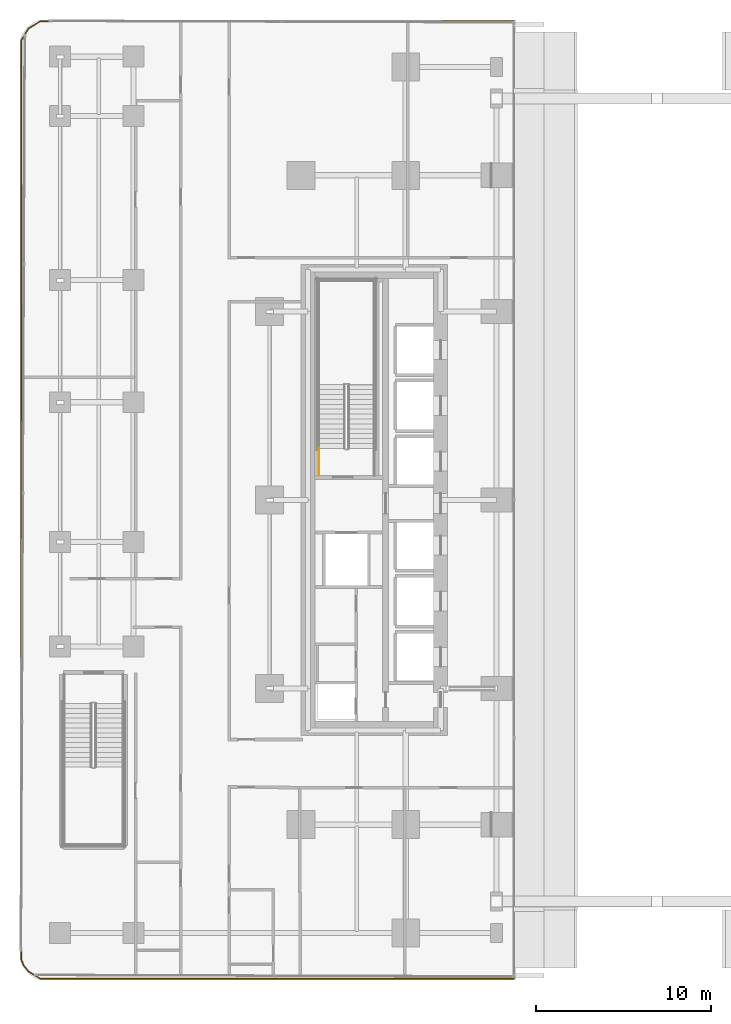
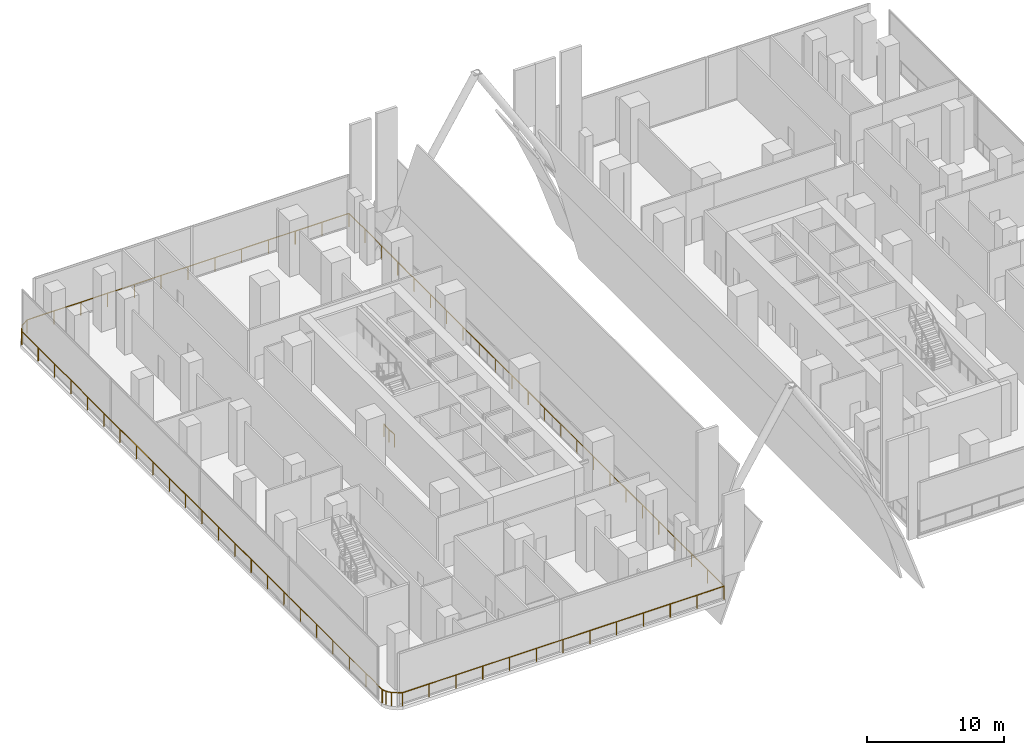
# One storey, part 22 of 31: 3 railings.
"""IFC4 building model written with IfcOpenShell, lengths in metres."""

import ifcopenshell
import ifcopenshell.guid

model = None  # the IFC model being written
_history = None  # IfcOwnerHistory: only IFC2X3 demands one
_inside = {}  # id of a spatial element -> (the spatial element, [elements in it])
_under = {}  # id of a project, library or spatial element -> (it, [spatial elements below it])
_declared = {}  # id of a project -> (the project, [libraries it declares])
_typed = {}  # id of a type object -> (the type object, [elements of that type])
_made_of = {}  # id of a material, layer set ... -> (it, [elements and type objects made of it])


def new_model(schema):
    """Start an empty IFC model of exactly this schema.

    Asked for "IFC4X3", IfcOpenShell would pick the latest addendum, in which some entities
    have other attributes; the version numbers below select the first issue.
    IFC2X3 requires an IfcOwnerHistory on every rooted entity: one is made here for all.
    """
    global model, _history
    if schema == "IFC4X3":
        model = ifcopenshell.file(schema_version=(4, 3, 0, 0))
    else:
        model = ifcopenshell.file(schema=schema)
    _inside.clear()
    _under.clear()
    _declared.clear()
    _typed.clear()
    _made_of.clear()
    _history = None
    if model.schema == "IFC2X3":
        org = make("IfcOrganization", Name="unknown")
        user = make(
            "IfcPersonAndOrganization",
            ThePerson=make("IfcPerson", FamilyName="unknown"),
            TheOrganization=org,
        )
        app = make(
            "IfcApplication",
            ApplicationDeveloper=org,
            Version="unknown",
            ApplicationFullName="unknown",
            ApplicationIdentifier="unknown",
        )
        _history = make(
            "IfcOwnerHistory",
            OwningUser=user,
            OwningApplication=app,
            ChangeAction="ADDED",
            CreationDate=0,
        )
    return model


def make(cls, **values):
    """One entity of the class cls with the attributes given. An attribute that is None is left unset."""
    return model.create_entity(
        cls, **{name: value for name, value in values.items() if value is not None}
    )


def rooted(cls, **values):
    """An entity with a GlobalId (a new one), such as an element, a storey or a relation."""
    return make(cls, GlobalId=ifcopenshell.guid.new(), OwnerHistory=_history, **values)


def si_unit(unit_type, name, prefix=None):
    """IfcSIUnit, for example si_unit("LENGTHUNIT", "METRE", prefix="MILLI")."""
    return make("IfcSIUnit", UnitType=unit_type, Prefix=prefix, Name=name)


def assignment(units):
    """IfcUnitAssignment: the units of a project."""
    return None if units is None else make("IfcUnitAssignment", Units=units)


def point(xyz):
    """IfcCartesianPoint."""
    return None if xyz is None else make("IfcCartesianPoint", Coordinates=xyz)


def direction(xyz):
    """IfcDirection."""
    return None if xyz is None else make("IfcDirection", DirectionRatios=xyz)


def frame(location, z_axis=None, x_axis=None):
    """IfcAxis2Placement3D, a coordinate frame: its origin and axes. An axis left out is left unset."""
    return make(
        "IfcAxis2Placement3D",
        Location=point(location),
        Axis=direction(z_axis),
        RefDirection=direction(x_axis),
    )


def frame_2d(location, x_axis=None):
    """IfcAxis2Placement2D, a coordinate frame in the plane: its origin and x axis."""
    return make(
        "IfcAxis2Placement2D", Location=point(location), RefDirection=direction(x_axis)
    )


def origin():
    """The frame at (0, 0, 0) with its axes left unset."""
    return frame((0.0, 0.0, 0.0))


def origin_2d():
    """The frame at (0, 0) in the plane with its x axis left unset."""
    return frame_2d((0.0, 0.0))


def place(relative_to, where):
    """IfcLocalPlacement: puts the frame where relative to a parent placement (None: the world)."""
    return make(
        "IfcLocalPlacement", PlacementRelTo=relative_to, RelativePlacement=where
    )


def context(
    kind, dimensions, precision=None, world=None, true_north=None, identifier=None
):
    """IfcGeometricRepresentationContext, for example the 3D "Model" context."""
    return make(
        "IfcGeometricRepresentationContext",
        ContextIdentifier=identifier,
        ContextType=kind,
        CoordinateSpaceDimension=dimensions,
        Precision=precision,
        WorldCoordinateSystem=world,
        TrueNorth=true_north,
    )


def subcontext(parent, identifier, kind, view, scale=None):
    """IfcGeometricRepresentationSubContext, for example "Body" below "Model"."""
    return make(
        "IfcGeometricRepresentationSubContext",
        ContextIdentifier=identifier,
        ContextType=kind,
        ParentContext=parent,
        TargetScale=scale,
        TargetView=view,
    )


def project(units=None, contexts=None):
    """IfcProject with its units and contexts."""
    return rooted(
        "IfcProject",
        Name="project",
        RepresentationContexts=contexts,
        UnitsInContext=assignment(units),
    )


def spatial(cls, under=None, at=None, **own):
    """A site, building, storey or space (cls), placed at a placement, below another one or the project."""
    s = rooted(cls, ObjectPlacement=at, **own)
    if under is not None:
        _under.setdefault(under.id(), (under, []))[1].append(s)
    return s


def profile(cls, at=None, kind="AREA", **sizes):
    """A parametric profile (cls). Its sizes go by their IFC names, for example OverallWidth=200.0."""
    return make(cls, ProfileType=kind, Position=at, **sizes)


def circle(**sizes):
    """IfcCircleProfileDef."""
    return profile("IfcCircleProfileDef", **sizes)


def extrude(swept, where, along, depth):
    """IfcExtrudedAreaSolid: the profile swept, set in the frame where, extruded along a direction by depth."""
    return make(
        "IfcExtrudedAreaSolid",
        SweptArea=swept,
        Position=where,
        ExtrudedDirection=direction(along),
        Depth=depth,
    )


def shape(context_of_items, identifier, shape_type, items):
    """IfcShapeRepresentation: the items that make up one representation, for example the "Body"."""
    return make(
        "IfcShapeRepresentation",
        ContextOfItems=context_of_items,
        RepresentationIdentifier=identifier,
        RepresentationType=shape_type,
        Items=items,
    )


def material(Name=None, Category=None):
    """IfcMaterial."""
    return make("IfcMaterial", Name=Name, Category=Category)


def made_of(thing, what):
    """Note that an element or type object is made of a material, layer set ...; save() writes the relation."""
    if what is not None:
        _made_of.setdefault(what.id(), (what, []))[1].append(thing)
    return thing


def type_object(cls, material=None, **own):
    """A type object (cls), such as IfcWallType, which elements share."""
    return made_of(rooted(cls, **own), material)


def element(
    cls,
    number,
    at=None,
    inside=None,
    cuts=None,
    type_object=None,
    material=None,
    context=None,
    identifier="Body",
    shape_type=None,
    held_by="IfcProductDefinitionShape",
    body=None,
    shapes=None,
    **own,
):
    """One element of the class cls, such as IfcWall. Its Tag is "e" and its number.

    at: its placement. inside: the storey or other place that contains it. cuts: it is an
    opening in that element (IfcRelVoidsElement). A single representation is given by context,
    identifier, shape_type and body (its items); several are given by shapes. held_by: the class
    of the entity that holds the representations. save() writes the other relations.
    """
    e = rooted(cls, Tag="e%d" % number, ObjectPlacement=at, **own)
    if body is not None:
        shapes = [shape(context, identifier, shape_type, body)]
    if shapes is not None:
        e.Representation = make(held_by, Representations=shapes)
    if inside is not None:
        _inside.setdefault(inside.id(), (inside, []))[1].append(e)
    if cuts is not None:
        rooted(
            "IfcRelVoidsElement", RelatingBuildingElement=cuts, RelatedOpeningElement=e
        )
    if type_object is not None:
        _typed.setdefault(type_object.id(), (type_object, []))[1].append(e)
    return made_of(e, material)


def aggregate(whole, parts):
    """IfcRelAggregates: a whole, such as a stair, and the parts it consists of."""
    return rooted("IfcRelAggregates", RelatingObject=whole, RelatedObjects=parts)


def save(model, path):
    """Write the relations noted so far, then the file.

    IfcRelAggregates (storeys below a building ...), IfcRelContainedInSpatialStructure (elements
    in a storey), IfcRelDefinesByType, IfcRelAssociatesMaterial and IfcRelDeclares: one each for
    every whole, place, type object, material and project.
    """
    for whole, parts in _under.values():
        aggregate(whole, parts)
    for where, things in _inside.values():
        rooted(
            "IfcRelContainedInSpatialStructure",
            RelatedElements=things,
            RelatingStructure=where,
        )
    for kind, things in _typed.values():
        rooted("IfcRelDefinesByType", RelatedObjects=things, RelatingType=kind)
    for what, things in _made_of.values():
        rooted("IfcRelAssociatesMaterial", RelatedObjects=things, RelatingMaterial=what)
    for by, libraries in _declared.values():
        rooted("IfcRelDeclares", RelatingContext=by, RelatedDefinitions=libraries)
    model.write(path)


model = new_model("IFC4")

# Units and contexts
model_context = context("Model", 3, precision=1e-05, world=origin(), true_north=direction((0.0, 1.0)))
body_context = subcontext(model_context, "Body", "Model", "MODEL_VIEW")
ifc_project = project(units=[si_unit("LENGTHUNIT", "METRE"), si_unit("AREAUNIT", "SQUARE_METRE"), si_unit("VOLUMEUNIT", "CUBIC_METRE"), si_unit("PLANEANGLEUNIT", "RADIAN"), si_unit("MASSUNIT", "GRAM", prefix="KILO")], contexts=[model_context])

# Site, building, storey
site_placement = place(None, origin())
site = spatial("IfcSite", under=ifc_project, at=site_placement, CompositionType="ELEMENT")
building_placement = place(site_placement, origin())
building = spatial("IfcBuilding", under=site, at=building_placement, Name="Khairoan Windgate Tower", CompositionType="ELEMENT")
storey_placement = place(building_placement, frame((0.0, 0.0, 6.0)))
storey = spatial("IfcBuildingStorey", under=building, at=storey_placement, Name="L02", CompositionType="ELEMENT", Elevation=6.0)

# Railings
ifc_material_1 = material(Name="Anodised Bronze Aluminium 6063-T6", Category="aluminium")
railing_type_1 = type_object("IfcRailingType", Name="Aerodynamic Bronze-and-Glass Balustrade BAL-1200", PredefinedType="BALUSTRADE", material=ifc_material_1)
railing_1_placement = place(storey_placement, frame((-36.406982421875, 26.36474609375, 0.0)))
element("IfcRailing", 1, at=railing_1_placement, inside=storey, type_object=railing_type_1, Name="L02 W Wing Perimeter Edge Guardrail (1)", PredefinedType="BALUSTRADE", context=body_context, shape_type="SweptSolid", body=[
    extrude(circle(Radius=0.02392578125, at=origin_2d()), frame((0.0, 0.0, 1.17578125), z_axis=(0.515299177597, 0.857010360245, 0.0), x_axis=(-0.857010360245, 0.515299177597, 0.0)), (0.0, 0.0, 1.0), 0.759521484375),
    extrude(circle(Radius=0.02392578125, at=origin_2d()), frame((0.391357421875, 0.65087890625, 1.17578125), z_axis=(0.856915629106, 0.515456695169, 0.0), x_axis=(-0.515456695169, 0.856915629106, 0.0)), (0.0, 0.0, 1.0), 0.784423828125),
    extrude(circle(Radius=0.02392578125, at=origin_2d()), frame((1.0634765625, 1.05517578125, 1.17578125), z_axis=(1.0, 0.0, 0.0), x_axis=(0.0, 1.0, 0.0)), (0.0, 0.0, 1.0), 27.1435546875),
    extrude(circle(Radius=0.02392578125, at=origin_2d()), frame((28.20703125, 1.05517578125, 1.17578125), z_axis=(0.0, -1.0, 0.0), x_axis=(1.0, 0.0, 0.0)), (0.0, 0.0, 1.0), 54.81494140625),
    extrude(circle(Radius=0.02099609375, at=origin_2d()), origin(), (0.0, 0.0, 1.0), 1.15185546875),
    extrude(circle(Radius=0.02099609375, at=origin_2d()), frame((0.391357421875, 0.65087890625, 0.0)), (0.0, 0.0, 1.0), 1.15185546875),
    extrude(circle(Radius=0.02099609375, at=origin_2d()), frame((1.0634765625, 1.05517578125, 0.0)), (0.0, 0.0, 1.0), 1.15185546875),
    extrude(circle(Radius=0.02099609375, at=origin_2d()), frame((3.325439453125, 1.05517578125, 0.0)), (0.0, 0.0, 1.0), 1.15185546875),
    extrude(circle(Radius=0.02099609375, at=origin_2d()), frame((5.58740234375, 1.05517578125, 0.0)), (0.0, 0.0, 1.0), 1.15185546875),
    extrude(circle(Radius=0.02099609375, at=origin_2d()), frame((7.849365234375, 1.05517578125, 0.0)), (0.0, 0.0, 1.0), 1.15185546875),
    extrude(circle(Radius=0.02099609375, at=origin_2d()), frame((10.111328125, 1.05517578125, 0.0)), (0.0, 0.0, 1.0), 1.15185546875),
    extrude(circle(Radius=0.02099609375, at=origin_2d()), frame((12.373291015625, 1.05517578125, 0.0)), (0.0, 0.0, 1.0), 1.15185546875),
    extrude(circle(Radius=0.02099609375, at=origin_2d()), frame((14.63525390625, 1.05517578125, 0.0)), (0.0, 0.0, 1.0), 1.15185546875),
    extrude(circle(Radius=0.02099609375, at=origin_2d()), frame((16.897216796875, 1.05517578125, 0.0)), (0.0, 0.0, 1.0), 1.15185546875),
    extrude(circle(Radius=0.02099609375, at=origin_2d()), frame((19.1591796875, 1.05517578125, 0.0)), (0.0, 0.0, 1.0), 1.15185546875),
    extrude(circle(Radius=0.02099609375, at=origin_2d()), frame((21.421142578125, 1.05517578125, 0.0)), (0.0, 0.0, 1.0), 1.15185546875),
    extrude(circle(Radius=0.02099609375, at=origin_2d()), frame((23.68310546875, 1.05517578125, 0.0)), (0.0, 0.0, 1.0), 1.15185546875),
    extrude(circle(Radius=0.02099609375, at=origin_2d()), frame((25.945068359375, 1.05517578125, 0.0)), (0.0, 0.0, 1.0), 1.15185546875),
    extrude(circle(Radius=0.02099609375, at=origin_2d()), frame((28.20703125, 1.05517578125, 0.0)), (0.0, 0.0, 1.0), 1.15185546875),
    extrude(circle(Radius=0.02099609375, at=origin_2d()), frame((28.20703125, -1.328125, 0.0)), (0.0, 0.0, 1.0), 1.15185546875),
    extrude(circle(Radius=0.02099609375, at=origin_2d()), frame((28.20703125, -3.71142578125, 0.0)), (0.0, 0.0, 1.0), 1.15185546875),
    extrude(circle(Radius=0.02099609375, at=origin_2d()), frame((28.20703125, -6.094482421875, 0.0)), (0.0, 0.0, 1.0), 1.15185546875),
    extrude(circle(Radius=0.02099609375, at=origin_2d()), frame((28.20703125, -8.477783203125, 0.0)), (0.0, 0.0, 1.0), 1.15185546875),
    extrude(circle(Radius=0.02099609375, at=origin_2d()), frame((28.20703125, -10.861083984375, 0.0)), (0.0, 0.0, 1.0), 1.15185546875),
    extrude(circle(Radius=0.02099609375, at=origin_2d()), frame((28.20703125, -13.244384765625, 0.0)), (0.0, 0.0, 1.0), 1.15185546875),
    extrude(circle(Radius=0.02099609375, at=origin_2d()), frame((28.20703125, -15.627685546875, 0.0)), (0.0, 0.0, 1.0), 1.15185546875),
    extrude(circle(Radius=0.02099609375, at=origin_2d()), frame((28.20703125, -18.010986328125, 0.0)), (0.0, 0.0, 1.0), 1.15185546875),
    extrude(circle(Radius=0.02099609375, at=origin_2d()), frame((28.20703125, -20.39404296875, 0.0)), (0.0, 0.0, 1.0), 1.15185546875),
    extrude(circle(Radius=0.02099609375, at=origin_2d()), frame((28.20703125, -22.77734375, 0.0)), (0.0, 0.0, 1.0), 1.15185546875),
    extrude(circle(Radius=0.02099609375, at=origin_2d()), frame((28.20703125, -25.16064453125, 0.0)), (0.0, 0.0, 1.0), 1.15185546875),
    extrude(circle(Radius=0.02099609375, at=origin_2d()), frame((28.20703125, -27.5439453125, 0.0)), (0.0, 0.0, 1.0), 1.15185546875),
    extrude(circle(Radius=0.02099609375, at=origin_2d()), frame((28.20703125, -29.92724609375, 0.0)), (0.0, 0.0, 1.0), 1.15185546875),
    extrude(circle(Radius=0.02099609375, at=origin_2d()), frame((28.20703125, -32.310546875, 0.0)), (0.0, 0.0, 1.0), 1.15185546875),
    extrude(circle(Radius=0.02099609375, at=origin_2d()), frame((28.20703125, -34.693603515625, 0.0)), (0.0, 0.0, 1.0), 1.15185546875),
    extrude(circle(Radius=0.02099609375, at=origin_2d()), frame((28.20703125, -37.076904296875, 0.0)), (0.0, 0.0, 1.0), 1.15185546875),
    extrude(circle(Radius=0.02099609375, at=origin_2d()), frame((28.20703125, -39.460205078125, 0.0)), (0.0, 0.0, 1.0), 1.15185546875),
    extrude(circle(Radius=0.02099609375, at=origin_2d()), frame((28.20703125, -41.843505859375, 0.0)), (0.0, 0.0, 1.0), 1.15185546875),
    extrude(circle(Radius=0.02099609375, at=origin_2d()), frame((28.20703125, -44.226806640625, 0.0)), (0.0, 0.0, 1.0), 1.15185546875),
    extrude(circle(Radius=0.02099609375, at=origin_2d()), frame((28.20703125, -46.610107421875, 0.0)), (0.0, 0.0, 1.0), 1.15185546875),
    extrude(circle(Radius=0.02099609375, at=origin_2d()), frame((28.20703125, -48.9931640625, 0.0)), (0.0, 0.0, 1.0), 1.15185546875),
    extrude(circle(Radius=0.02099609375, at=origin_2d()), frame((28.20703125, -51.37646484375, 0.0)), (0.0, 0.0, 1.0), 1.15185546875),
    extrude(circle(Radius=0.02099609375, at=origin_2d()), frame((28.20703125, -53.759765625, 0.0)), (0.0, 0.0, 1.0), 1.15185546875),
])
railing_2_placement = place(storey_placement, frame((-8.22509765625, -27.419921875, 0.0)))
element("IfcRailing", 2, at=railing_2_placement, inside=storey, type_object=railing_type_1, Name="L02 W Wing Perimeter Edge Guardrail (2)", PredefinedType="BALUSTRADE", context=body_context, shape_type="SweptSolid", body=[
    extrude(circle(Radius=0.02392578125, at=origin_2d()), frame((0.0, 0.0, 1.17578125), z_axis=(-1.0, 0.0, 0.0), x_axis=(0.0, -1.0, 0.0)), (0.0, 0.0, 1.0), 27.118408203125),
    extrude(circle(Radius=0.02392578125, at=origin_2d()), frame((-27.118408203125, 0.0, 1.17578125), z_axis=(-0.856915629106, 0.515456695169, 0.0), x_axis=(-0.515456695169, -0.856915629106, 0.0)), (0.0, 0.0, 1.0), 0.784423828125),
    extrude(circle(Radius=0.02392578125, at=origin_2d()), frame((-27.79052734375, 0.404296875, 1.17578125), z_axis=(-0.608842674685, 0.793290991681, 0.0), x_axis=(-0.793290991681, -0.608842674685, 0.0)), (0.0, 0.0, 1.0), 0.44873046875),
    extrude(circle(Radius=0.02392578125, at=origin_2d()), frame((-28.063720703125, 0.76025390625, 1.17578125), z_axis=(-0.383044713365, 0.923729802249, 0.0), x_axis=(-0.923729802249, -0.383044713365, 0.0)), (0.0, 0.0, 1.0), 0.34228515625),
    extrude(circle(Radius=0.02392578125, at=origin_2d()), frame((-28.19482421875, 1.076416015625, 1.17578125), z_axis=(0.0, 1.0, 0.0), x_axis=(-1.0, 0.0, 0.0)), (0.0, 0.0, 1.0), 52.661865234375),
    extrude(circle(Radius=0.02099609375, at=origin_2d()), origin(), (0.0, 0.0, 1.0), 1.15185546875),
    extrude(circle(Radius=0.02099609375, at=origin_2d()), frame((-2.259765625, 0.0, 0.0)), (0.0, 0.0, 1.0), 1.15185546875),
    extrude(circle(Radius=0.02099609375, at=origin_2d()), frame((-4.519775390625, 0.0, 0.0)), (0.0, 0.0, 1.0), 1.15185546875),
    extrude(circle(Radius=0.02099609375, at=origin_2d()), frame((-6.779541015625, 0.0, 0.0)), (0.0, 0.0, 1.0), 1.15185546875),
    extrude(circle(Radius=0.02099609375, at=origin_2d()), frame((-9.03955078125, 0.0, 0.0)), (0.0, 0.0, 1.0), 1.15185546875),
    extrude(circle(Radius=0.02099609375, at=origin_2d()), frame((-11.29931640625, 0.0, 0.0)), (0.0, 0.0, 1.0), 1.15185546875),
    extrude(circle(Radius=0.02099609375, at=origin_2d()), frame((-13.55908203125, 0.0, 0.0)), (0.0, 0.0, 1.0), 1.15185546875),
    extrude(circle(Radius=0.02099609375, at=origin_2d()), frame((-15.819091796875, 0.0, 0.0)), (0.0, 0.0, 1.0), 1.15185546875),
    extrude(circle(Radius=0.02099609375, at=origin_2d()), frame((-18.078857421875, 0.0, 0.0)), (0.0, 0.0, 1.0), 1.15185546875),
    extrude(circle(Radius=0.02099609375, at=origin_2d()), frame((-20.3388671875, 0.0, 0.0)), (0.0, 0.0, 1.0), 1.15185546875),
    extrude(circle(Radius=0.02099609375, at=origin_2d()), frame((-22.5986328125, 0.0, 0.0)), (0.0, 0.0, 1.0), 1.15185546875),
    extrude(circle(Radius=0.02099609375, at=origin_2d()), frame((-24.858642578125, 0.0, 0.0)), (0.0, 0.0, 1.0), 1.15185546875),
    extrude(circle(Radius=0.02099609375, at=origin_2d()), frame((-27.118408203125, 0.0, 0.0)), (0.0, 0.0, 1.0), 1.15185546875),
    extrude(circle(Radius=0.02099609375, at=origin_2d()), frame((-27.79052734375, 0.404296875, 0.0)), (0.0, 0.0, 1.0), 1.15185546875),
    extrude(circle(Radius=0.02099609375, at=origin_2d()), frame((-28.063720703125, 0.76025390625, 0.0)), (0.0, 0.0, 1.0), 1.15185546875),
    extrude(circle(Radius=0.02099609375, at=origin_2d()), frame((-28.19482421875, 1.076416015625, 0.0)), (0.0, 0.0, 1.0), 1.15185546875),
    extrude(circle(Radius=0.02099609375, at=origin_2d()), frame((-28.19482421875, 3.47021484375, 0.0)), (0.0, 0.0, 1.0), 1.15185546875),
    extrude(circle(Radius=0.02099609375, at=origin_2d()), frame((-28.19482421875, 5.86376953125, 0.0)), (0.0, 0.0, 1.0), 1.15185546875),
    extrude(circle(Radius=0.02099609375, at=origin_2d()), frame((-28.19482421875, 8.257568359375, 0.0)), (0.0, 0.0, 1.0), 1.15185546875),
    extrude(circle(Radius=0.02099609375, at=origin_2d()), frame((-28.19482421875, 10.6513671875, 0.0)), (0.0, 0.0, 1.0), 1.15185546875),
    extrude(circle(Radius=0.02099609375, at=origin_2d()), frame((-28.19482421875, 13.044921875, 0.0)), (0.0, 0.0, 1.0), 1.15185546875),
    extrude(circle(Radius=0.02099609375, at=origin_2d()), frame((-28.19482421875, 15.438720703125, 0.0)), (0.0, 0.0, 1.0), 1.15185546875),
    extrude(circle(Radius=0.02099609375, at=origin_2d()), frame((-28.19482421875, 17.83251953125, 0.0)), (0.0, 0.0, 1.0), 1.15185546875),
    extrude(circle(Radius=0.02099609375, at=origin_2d()), frame((-28.19482421875, 20.22607421875, 0.0)), (0.0, 0.0, 1.0), 1.15185546875),
    extrude(circle(Radius=0.02099609375, at=origin_2d()), frame((-28.19482421875, 22.619873046875, 0.0)), (0.0, 0.0, 1.0), 1.15185546875),
    extrude(circle(Radius=0.02099609375, at=origin_2d()), frame((-28.19482421875, 25.013671875, 0.0)), (0.0, 0.0, 1.0), 1.15185546875),
    extrude(circle(Radius=0.02099609375, at=origin_2d()), frame((-28.19482421875, 27.4072265625, 0.0)), (0.0, 0.0, 1.0), 1.15185546875),
    extrude(circle(Radius=0.02099609375, at=origin_2d()), frame((-28.19482421875, 29.801025390625, 0.0)), (0.0, 0.0, 1.0), 1.15185546875),
    extrude(circle(Radius=0.02099609375, at=origin_2d()), frame((-28.19482421875, 32.19482421875, 0.0)), (0.0, 0.0, 1.0), 1.15185546875),
    extrude(circle(Radius=0.02099609375, at=origin_2d()), frame((-28.19482421875, 34.588623046875, 0.0)), (0.0, 0.0, 1.0), 1.15185546875),
    extrude(circle(Radius=0.02099609375, at=origin_2d()), frame((-28.19482421875, 36.982177734375, 0.0)), (0.0, 0.0, 1.0), 1.15185546875),
    extrude(circle(Radius=0.02099609375, at=origin_2d()), frame((-28.19482421875, 39.3759765625, 0.0)), (0.0, 0.0, 1.0), 1.15185546875),
    extrude(circle(Radius=0.02099609375, at=origin_2d()), frame((-28.19482421875, 41.769775390625, 0.0)), (0.0, 0.0, 1.0), 1.15185546875),
    extrude(circle(Radius=0.02099609375, at=origin_2d()), frame((-28.19482421875, 44.163330078125, 0.0)), (0.0, 0.0, 1.0), 1.15185546875),
    extrude(circle(Radius=0.02099609375, at=origin_2d()), frame((-28.19482421875, 46.55712890625, 0.0)), (0.0, 0.0, 1.0), 1.15185546875),
    extrude(circle(Radius=0.02099609375, at=origin_2d()), frame((-28.19482421875, 48.950927734375, 0.0)), (0.0, 0.0, 1.0), 1.15185546875),
    extrude(circle(Radius=0.02099609375, at=origin_2d()), frame((-28.19482421875, 51.344482421875, 0.0)), (0.0, 0.0, 1.0), 1.15185546875),
    extrude(circle(Radius=0.02099609375, at=origin_2d()), frame((-28.19482421875, 53.73828125, 0.0)), (0.0, 0.0, 1.0), 1.15185546875),
])
ifc_material_2 = material(Name="Steel S355", Category="steel")
railing_type_2 = type_object("IfcRailingType", Name="Stairwell Safety Guardrail SGR-1150", PredefinedType="GUARDRAIL", material=ifc_material_2)
railing_3_placement = place(storey_placement, frame((-19.3701171875, 1.39990234375, 0.0)))
element("IfcRailing", 3, at=railing_3_placement, inside=storey, type_object=railing_type_2, Name="L02 ST2 stair guard 9", PredefinedType="GUARDRAIL", context=body_context, shape_type="SweptSolid", body=[
    extrude(circle(Radius=0.02392578125, at=origin_2d()), frame((0.0, 0.0, 1.1259765625), z_axis=(0.0, 1.0, 0.0), x_axis=(-1.0, 0.0, 0.0)), (0.0, 0.0, 1.0), 1.56005859375),
    extrude(circle(Radius=0.02099609375, at=origin_2d()), origin(), (0.0, 0.0, 1.0), 1.101806640625),
    extrude(circle(Radius=0.02099609375, at=origin_2d()), frame((0.0, 0.780029296875, 0.0)), (0.0, 0.0, 1.0), 1.101806640625),
    extrude(circle(Radius=0.02099609375, at=origin_2d()), frame((0.0, 1.56005859375, 0.0)), (0.0, 0.0, 1.0), 1.101806640625),
])

save(model, "model.ifc")
